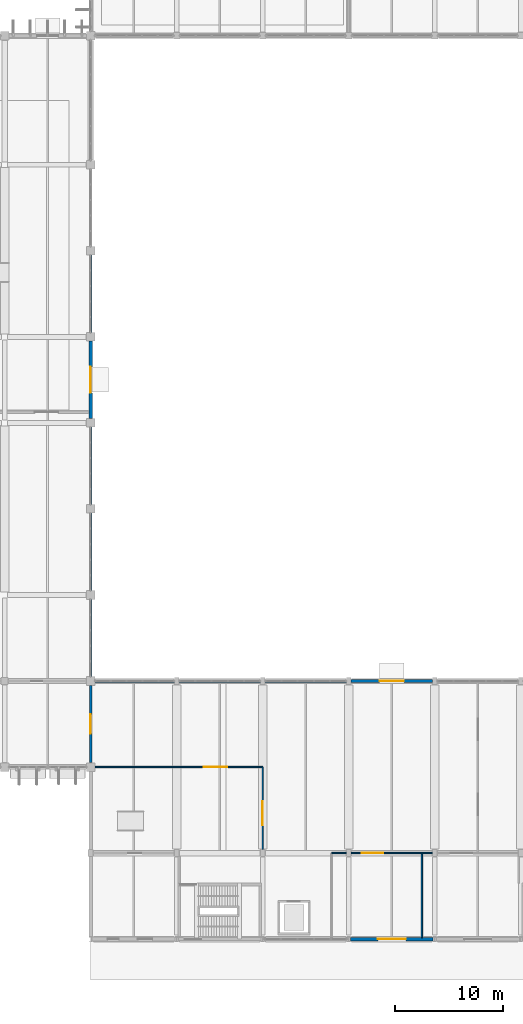
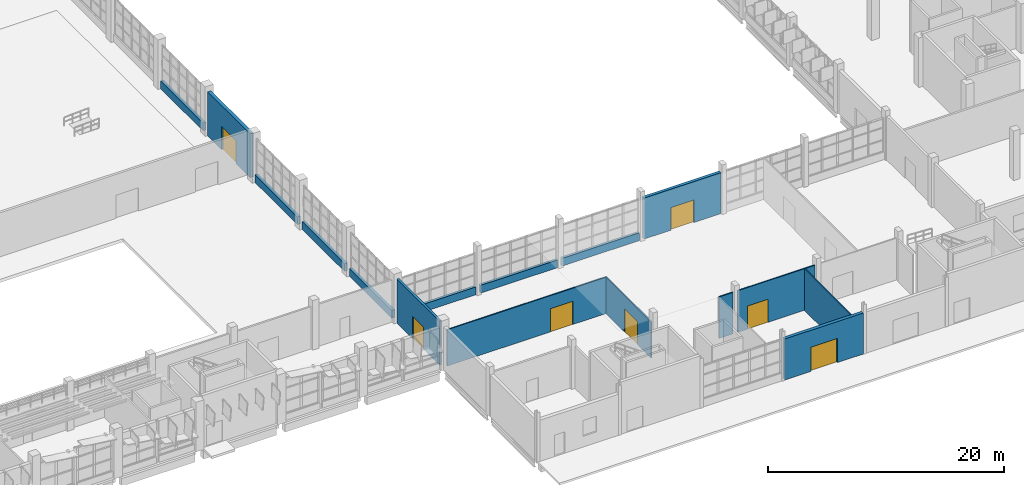
# One storey, part 75 of 103: 16 walls, 7 doors, 7 openings.
"""IFC4 building model written with IfcOpenShell, lengths in metres."""

from ifc_helpers import new_model, si_unit, direction, frame, frame_2d, origin, place, context, subcontext, project, spatial, rectangle, extrude, material, layer, layer_set, type_object, element, fill, save


model = new_model("IFC4")

# Units and contexts
model_context = context("Model", 3, precision=1e-05, world=origin(), true_north=direction((0.0, 1.0)))
body_context = subcontext(model_context, "Body", "Model", "MODEL_VIEW")
ifc_project = project(units=[si_unit("LENGTHUNIT", "METRE"), si_unit("AREAUNIT", "SQUARE_METRE"), si_unit("VOLUMEUNIT", "CUBIC_METRE"), si_unit("PLANEANGLEUNIT", "RADIAN"), si_unit("MASSUNIT", "GRAM", prefix="KILO")], contexts=[model_context])

# Site, building, storey
site_placement = place(None, origin())
site = spatial("IfcSite", under=ifc_project, at=site_placement, CompositionType="ELEMENT")
building_placement = place(site_placement, origin())
building = spatial("IfcBuilding", under=site, at=building_placement, Name="Drelvana Railside Aquatics Centre", CompositionType="ELEMENT")
storey_placement = place(building_placement, origin())
storey = spatial("IfcBuildingStorey", under=building, at=storey_placement, Name="L00", CompositionType="ELEMENT", Elevation=0.0)

# Wall, opening, door
ifc_material_1 = material(Name="Autoclaved aerated concrete masonry", Category="masonry")
ifc_layer_1 = layer(ifc_material_1, 0.22509765625, Name="Autoclaved aerated concrete masonry")
ifc_layer_set_1 = layer_set([ifc_layer_1], Name="Autoclaved aerated concrete masonry")
wall_type_1 = type_object("IfcWallType", Name="WL-COMP-225", PredefinedType="STANDARD", material=ifc_layer_set_1)
wall_1_placement = place(storey_placement, frame((96.0, 16.402099609375, 0.0), z_axis=(0.0, 0.0, 1.0), x_axis=(0.0, 1.0, 0.0)))
wall_1 = element("IfcWall", 1, at=wall_1_placement, inside=storey, type_object=wall_type_1, Name="Foyer-Pool Hall compartment wall", PredefinedType="STANDARD", context=body_context, shape_type="SweptSolid", body=[
    extrude(rectangle(XDim=7.19580078125, YDim=0.22509765625, at=frame_2d((3.597900390625, 0.0))), origin(), (0.0, 0.0, 1.0), 4.554931640625),
])
opening_1_placement = place(wall_1_placement, frame((2.697998046875, 0.0, 0.0)))
opening_1 = element("IfcOpeningElement", 2, at=opening_1_placement, cuts=wall_1, Name="Opening D-05-099", PredefinedType="OPENING", context=body_context, shape_type="SweptSolid", body=[
    extrude(rectangle(XDim=1.800048828125, YDim=2.300048828125, at=frame_2d((0.89990234375, 1.14990234375))), frame((0.0, 0.12255859375, 0.0), z_axis=(0.0, -1.0, 0.0), x_axis=(1.0, 0.0, 0.0)), (0.0, 0.0, 1.0), 0.2451171875),
])
ifc_material_2 = material(Name="Corridor compartment double door", Category="wood")
door_type_1 = type_object("IfcDoorType", Name="DR-INT-COMP-1800x2300", OperationType="DOUBLE_DOOR_SINGLE_SWING", PredefinedType="DOOR", material=ifc_material_2)
door_1_placement = place(opening_1_placement, origin())
door_1 = element("IfcDoor", 3, at=door_1_placement, inside=storey, type_object=door_type_1, Name="Foyer to Pool Hall link door D-05-099", OperationType="DOUBLE_DOOR_SINGLE_SWING", OverallHeight=2.300048828125, OverallWidth=1.800048828125, PredefinedType="DOOR", context=body_context, shape_type="SweptSolid", body=[
    extrude(rectangle(XDim=1.800048828125, YDim=2.300048828125, at=frame_2d((0.89990234375, 1.14990234375))), frame((0.0, 0.02490234375, 0.0), z_axis=(0.0, -1.0, 0.0), x_axis=(1.0, 0.0, 0.0)), (0.0, 0.0, 1.0), 0.050048828125),
])
fill(opening_1, door_1)

# Wall
ifc_material_3 = material(Name="Acoustic twin-stud gypsum partition", Category="gypsum")
ifc_layer_2 = layer(ifc_material_3, 0.1201171875, Name="Acoustic twin-stud gypsum partition")
ifc_layer_set_2 = layer_set([ifc_layer_2], Name="Acoustic twin-stud gypsum partition")
wall_type_2 = type_object("IfcWallType", Name="WL-DRY-120", PredefinedType="PARTITIONING", material=ifc_layer_set_2)
wall_2_placement = place(storey_placement, frame((118.39990234375, 8.0, 0.0), z_axis=(0.0, 0.0, 1.0), x_axis=(1.0, 0.0, 0.0)))
element("IfcWall", 4, at=wall_2_placement, inside=storey, type_object=wall_type_2, Name="Entrance Foyer south retail wall", PredefinedType="PARTITIONING", context=body_context, shape_type="SweptSolid", body=[
    extrude(rectangle(XDim=1.373046875, YDim=0.1201171875, at=frame_2d((0.6865234375, 0.0))), origin(), (0.0, 0.0, 1.0), 4.304931640625),
])

# Wall, opening, door
wall_3_placement = place(storey_placement, frame((120.22705078125, 8.0, 0.0), z_axis=(0.0, 0.0, 1.0), x_axis=(1.0, 0.0, 0.0)))
wall_3 = element("IfcWall", 5, at=wall_3_placement, inside=storey, type_object=wall_type_2, Name="Entrance Foyer south retail wall", PredefinedType="PARTITIONING", context=body_context, shape_type="SweptSolid", body=[
    extrude(rectangle(XDim=7.5458984375, YDim=0.1201171875, at=frame_2d((3.77294921875, 0.0))), origin(), (0.0, 0.0, 1.0), 4.304931640625),
])
opening_2_placement = place(wall_3_placement, frame((0.972900390625, 0.0, 0.0)))
opening_2 = element("IfcOpeningElement", 6, at=opening_2_placement, cuts=wall_3, Name="Opening D-06-137", PredefinedType="OPENING", context=body_context, shape_type="SweptSolid", body=[
    extrude(rectangle(XDim=2.0, YDim=2.39990234375, at=frame_2d((1.0, 1.199951171875))), frame((0.0, 0.070068359375, 0.0), z_axis=(0.0, -1.0, 0.0), x_axis=(1.0, 0.0, 0.0)), (0.0, 0.0, 1.0), 0.14013671875),
])
ifc_material_4 = material(Name="Glazed bronze-aluminium concourse door", Category="aluminium")
door_type_2 = type_object("IfcDoorType", Name="DR-INT-HALL-2000x2400", OperationType="DOUBLE_DOOR_SINGLE_SWING", PredefinedType="DOOR", material=ifc_material_4)
door_2_placement = place(opening_2_placement, origin())
door_2 = element("IfcDoor", 7, at=door_2_placement, inside=storey, type_object=door_type_2, Name="Ticket Hall concourse door D-06-137", OperationType="DOUBLE_DOOR_SINGLE_SWING", OverallHeight=2.39990234375, OverallWidth=2.0, PredefinedType="DOOR", context=body_context, shape_type="SweptSolid", body=[
    extrude(rectangle(XDim=2.0, YDim=2.39990234375, at=frame_2d((1.0, 1.199951171875))), frame((0.0, 0.02490234375, 0.0), z_axis=(0.0, -1.0, 0.0), x_axis=(1.0, 0.0, 0.0)), (0.0, 0.0, 1.0), 0.050048828125),
])
fill(opening_2, door_2)

# Wall
wall_4_placement = place(storey_placement, frame((126.800048828125, 0.14990234375, 0.0), z_axis=(0.0, 0.0, 1.0), x_axis=(0.0, 1.0, 0.0)))
element("IfcWall", 8, at=wall_4_placement, inside=storey, type_object=wall_type_2, Name="Foyer retail divider", PredefinedType="PARTITIONING", context=body_context, shape_type="SweptSolid", body=[
    extrude(rectangle(XDim=7.85009765625, YDim=0.1201171875, at=frame_2d((3.925048828125, 0.0))), origin(), (0.0, 0.0, 1.0), 4.304931640625),
])

# Wall, opening, door
wall_5_placement = place(storey_placement, frame((96.402099609375, 16.0, 0.0), z_axis=(0.0, 0.0, 1.0), x_axis=(1.0, 0.0, 0.0)))
wall_5 = element("IfcWall", 9, at=wall_5_placement, inside=storey, type_object=wall_type_2, Name="Railside Cafe north wall", PredefinedType="PARTITIONING", context=body_context, shape_type="SweptSolid", body=[
    extrude(rectangle(XDim=15.597900390625, YDim=0.1201171875, at=frame_2d((7.798828125, 0.0))), origin(), (0.0, 0.0, 1.0), 3.7548828125),
])
opening_3_placement = place(wall_5_placement, frame((10.097900390625, 0.0, 0.0)))
opening_3 = element("IfcOpeningElement", 10, at=opening_3_placement, cuts=wall_5, Name="Opening D-07-141", PredefinedType="OPENING", context=body_context, shape_type="SweptSolid", body=[
    extrude(rectangle(XDim=2.199951171875, YDim=2.39990234375, at=frame_2d((1.10009765625, 1.199951171875))), frame((0.0, 0.070068359375, 0.0), z_axis=(0.0, -1.0, 0.0), x_axis=(1.0, 0.0, 0.0)), (0.0, 0.0, 1.0), 0.14013671875),
])
ifc_material_5 = material(Name="Pool hall acoustic lobby double door", Category="wood")
door_type_3 = type_object("IfcDoorType", Name="DR-INT-HALL-2200x2400", OperationType="DOUBLE_DOOR_SINGLE_SWING", PredefinedType="DOOR", material=ifc_material_5)
door_3_placement = place(opening_3_placement, origin())
door_3 = element("IfcDoor", 11, at=door_3_placement, inside=storey, type_object=door_type_3, Name="Railside Cafe north concourse door D-07-141", OperationType="DOUBLE_DOOR_SINGLE_SWING", OverallHeight=2.39990234375, OverallWidth=2.199951171875, PredefinedType="DOOR", context=body_context, shape_type="SweptSolid", body=[
    extrude(rectangle(XDim=2.199951171875, YDim=2.39990234375, at=frame_2d((1.10009765625, 1.199951171875))), frame((0.0, 0.02490234375, 0.0), z_axis=(0.0, -1.0, 0.0), x_axis=(1.0, 0.0, 0.0)), (0.0, 0.0, 1.0), 0.050048828125),
])
fill(opening_3, door_3)

wall_6_placement = place(storey_placement, frame((112.0, 8.326904296875, 0.0), z_axis=(0.0, 0.0, 1.0), x_axis=(0.0, 1.0, 0.0)))
wall_6 = element("IfcWall", 12, at=wall_6_placement, inside=storey, type_object=wall_type_2, Name="Railside Cafe east wall", PredefinedType="PARTITIONING", context=body_context, shape_type="SweptSolid", body=[
    extrude(rectangle(XDim=7.673095703125, YDim=0.1201171875, at=frame_2d((3.83642578125, 0.0))), origin(), (0.0, 0.0, 1.0), 3.7548828125),
])
opening_4_placement = place(wall_6_placement, frame((2.27294921875, 0.0, 0.0)))
opening_4 = element("IfcOpeningElement", 13, at=opening_4_placement, cuts=wall_6, Name="Opening D-07-142", PredefinedType="OPENING", context=body_context, shape_type="SweptSolid", body=[
    extrude(rectangle(XDim=2.199951171875, YDim=2.39990234375, at=frame_2d((1.10009765625, 1.199951171875))), frame((0.0, 0.070068359375, 0.0), z_axis=(0.0, -1.0, 0.0), x_axis=(1.0, 0.0, 0.0)), (0.0, 0.0, 1.0), 0.14013671875),
])
door_4_placement = place(opening_4_placement, origin())
door_4 = element("IfcDoor", 14, at=door_4_placement, inside=storey, type_object=door_type_3, Name="Railside Cafe east concourse door D-07-142", OperationType="DOUBLE_DOOR_SINGLE_SWING", OverallHeight=2.39990234375, OverallWidth=2.199951171875, PredefinedType="DOOR", context=body_context, shape_type="SweptSolid", body=[
    extrude(rectangle(XDim=2.199951171875, YDim=2.39990234375, at=frame_2d((1.10009765625, 1.199951171875))), frame((0.0, 0.02490234375, 0.0), z_axis=(0.0, -1.0, 0.0), x_axis=(1.0, 0.0, 0.0)), (0.0, 0.0, 1.0), 0.050048828125),
])
fill(opening_4, door_4)

# Walls
ifc_material_6 = material(Name="Glazed ceramic spandrel wall", Category="masonry")
ifc_layer_3 = layer(ifc_material_6, 0.27001953125, Name="Glazed ceramic spandrel wall")
ifc_layer_set_3 = layer_set([ifc_layer_3], Name="Glazed ceramic spandrel wall")
wall_type_3 = type_object("IfcWallType", Name="WL-EXT-270", PredefinedType="STANDARD", material=ifc_layer_set_3)
wall_7_placement = place(storey_placement, frame((96.39599609375, 24.0, 0.0), z_axis=(0.0, 0.0, 1.0), x_axis=(1.0, 0.0, 0.0)))
element("IfcWall", 15, at=wall_7_placement, inside=storey, type_object=wall_type_3, Name="Foyer court plinth", PredefinedType="STANDARD", context=body_context, shape_type="SweptSolid", body=[
    extrude(rectangle(XDim=7.383056640625, YDim=0.27001953125, at=frame_2d((3.69140625, 0.0))), origin(), (0.0, 0.0, 1.0), 0.800048828125),
])
for number, where, z_axis, x_axis, name in (
    (16, (104.220947265625, 24.0, 0.0), (0.0, 0.0, 1.0), (1.0, 0.0, 0.0), "Foyer court plinth"),
    (17, (112.220947265625, 24.0, 0.0), (0.0, 0.0, 1.0), (1.0, 0.0, 0.0), "Foyer court plinth"),
):
    element("IfcWall", number, at=place(storey_placement, frame(where, z_axis=z_axis, x_axis=x_axis)), inside=storey, type_object=wall_type_3, Name=name, PredefinedType="STANDARD", context=body_context, shape_type="SweptSolid", body=[
        extrude(rectangle(XDim=7.55810546875, YDim=0.27001953125, at=frame_2d((3.779052734375, 0.0))), origin(), (0.0, 0.0, 1.0), 0.800048828125),
    ])
ifc_material_7 = material(Name="Glazed ceramic and masonry facade wall", Category="masonry")
ifc_layer_4 = layer(ifc_material_7, 0.2900390625, Name="Glazed ceramic and masonry facade wall")
ifc_layer_set_4 = layer_set([ifc_layer_4], Name="Glazed ceramic and masonry facade wall")
wall_type_4 = type_object("IfcWallType", Name="WL-EXT-290", PredefinedType="STANDARD", material=ifc_layer_set_4)
for number, where, z_axis, x_axis, name in (
    (18, (96.0, 24.39599609375, 0.0), (0.0, 0.0, 1.0), (0.0, 1.0, 0.0), "V1 East court plinth"),
    (19, (96.0, 32.39599609375, 0.0), (0.0, 0.0, 1.0), (0.0, 1.0, 0.0), "V1 East court plinth"),
    (20, (96.0, 40.39599609375, 0.0), (0.0, 0.0, 1.0), (0.0, 1.0, 0.0), "V1 East court plinth"),
    (21, (96.0, 56.39599609375, 0.0), (0.0, 0.0, 1.0), (0.0, 1.0, 0.0), "V1 East court plinth"),
):
    element("IfcWall", number, at=place(storey_placement, frame(where, z_axis=z_axis, x_axis=x_axis)), inside=storey, type_object=wall_type_4, Name=name, PredefinedType="STANDARD", context=body_context, shape_type="SweptSolid", body=[
        extrude(rectangle(XDim=7.2080078125, YDim=0.2900390625, at=frame_2d((3.60400390625, 0.0))), origin(), (0.0, 0.0, 1.0), 0.800048828125),
    ])

# Wall, opening, door
wall_8_placement = place(storey_placement, frame((120.220947265625, 24.0, 0.0), z_axis=(0.0, 0.0, 1.0), x_axis=(1.0, 0.0, 0.0)))
wall_8 = element("IfcWall", 22, at=wall_8_placement, inside=storey, type_object=wall_type_4, Name="Rain court foyer portal wall", PredefinedType="STANDARD", context=body_context, shape_type="SweptSolid", body=[
    extrude(rectangle(XDim=7.55810546875, YDim=0.2900390625, at=frame_2d((3.779052734375, 0.0))), origin(), (0.0, 0.0, 1.0), 4.25),
])
opening_5_placement = place(wall_8_placement, frame((2.654052734375, 0.0, 0.0)))
opening_5 = element("IfcOpeningElement", 23, at=opening_5_placement, cuts=wall_8, Name="Opening EX-10-011", PredefinedType="OPENING", context=body_context, shape_type="SweptSolid", body=[
    extrude(rectangle(XDim=2.25, YDim=2.35009765625, at=frame_2d((1.125, 1.175048828125))), frame((0.0, 0.155029296875, 0.0), z_axis=(0.0, -1.0, 0.0), x_axis=(1.0, 0.0, 0.0)), (0.0, 0.0, 1.0), 0.31005859375),
])
ifc_material_8 = material(Name="Thermally broken bronze-anodised aluminium and glazed door", Category="aluminium")
door_type_4 = type_object("IfcDoorType", Name="DR-EXT-FOY-2250x2350", OperationType="DOUBLE_DOOR_SINGLE_SWING", PredefinedType="DOOR", material=ifc_material_8)
door_5_placement = place(opening_5_placement, origin())
door_5 = element("IfcDoor", 24, at=door_5_placement, inside=storey, type_object=door_type_4, Name="Rain court concourse exit door EX-10-011", OperationType="DOUBLE_DOOR_SINGLE_SWING", OverallHeight=2.35009765625, OverallWidth=2.25, PredefinedType="DOOR", context=body_context, shape_type="SweptSolid", body=[
    extrude(rectangle(XDim=2.25, YDim=2.35009765625, at=frame_2d((1.125, 1.175048828125))), frame((0.0, 0.02490234375, 0.0), z_axis=(0.0, -1.0, 0.0), x_axis=(1.0, 0.0, 0.0)), (0.0, 0.0, 1.0), 0.050048828125),
])
fill(opening_5, door_5)

ifc_material_9 = material(Name="Terracotta rainscreen masonry wall", Category="masonry")
ifc_layer_5 = layer(ifc_material_9, 0.31005859375, Name="Terracotta rainscreen masonry wall")
ifc_layer_set_5 = layer_set([ifc_layer_5], Name="Terracotta rainscreen masonry wall")
wall_type_5 = type_object("IfcWallType", Name="WL-EXT-310", PredefinedType="STANDARD", material=ifc_layer_set_5)
wall_9_placement = place(storey_placement, frame((120.14599609375, 0.0, 0.0), z_axis=(0.0, 0.0, 1.0), x_axis=(1.0, 0.0, 0.0)))
wall_9 = element("IfcWall", 25, at=wall_9_placement, inside=storey, type_object=wall_type_5, Name="Main entrance portal wall 120", PredefinedType="STANDARD", context=body_context, shape_type="SweptSolid", body=[
    extrude(rectangle(XDim=7.7080078125, YDim=0.31005859375, at=frame_2d((3.85400390625, 0.0))), origin(), (0.0, 0.0, 1.0), 4.25),
])
opening_6_placement = place(wall_9_placement, frame((2.553955078125, 0.0, 0.0)))
opening_6 = element("IfcOpeningElement", 26, at=opening_6_placement, cuts=wall_9, Name="Opening EX-01-010", PredefinedType="OPENING", context=body_context, shape_type="SweptSolid", body=[
    extrude(rectangle(XDim=2.60009765625, YDim=2.5, at=frame_2d((1.300048828125, 1.25))), frame((0.0, 0.1650390625, 0.0), z_axis=(0.0, -1.0, 0.0), x_axis=(1.0, 0.0, 0.0)), (0.0, 0.0, 1.0), 0.330078125),
])
door_type_5 = type_object("IfcDoorType", Name="DR-EXT-MAIN-2600x2500", OperationType="DOUBLE_DOOR_SINGLE_SWING", PredefinedType="DOOR", material=ifc_material_8)
door_6_placement = place(opening_6_placement, frame((2.60009765625, 0.0, 0.0), z_axis=(0.0, 0.0, 1.0), x_axis=(-1.0, 0.0, 0.0)))
door_6 = element("IfcDoor", 27, at=door_6_placement, inside=storey, type_object=door_type_5, Name="Main public entrance door EX-01-010", OperationType="DOUBLE_DOOR_SINGLE_SWING", OverallHeight=2.5, OverallWidth=2.60009765625, PredefinedType="DOOR", context=body_context, shape_type="SweptSolid", body=[
    extrude(rectangle(XDim=2.60009765625, YDim=2.5, at=frame_2d((1.300048828125, 1.25))), frame((0.0, 0.02490234375, 0.0), z_axis=(0.0, -1.0, 0.0), x_axis=(1.0, 0.0, 0.0)), (0.0, 0.0, 1.0), 0.050048828125),
])
fill(opening_6, door_6)

ifc_material_10 = material(Name="Abuja granite ashlar cavity wall", Category="masonry")
ifc_layer_6 = layer(ifc_material_10, 0.330078125, Name="Abuja granite ashlar cavity wall")
ifc_layer_set_6 = layer_set([ifc_layer_6], Name="Abuja granite ashlar cavity wall")
wall_type_6 = type_object("IfcWallType", Name="WL-EXT-330", PredefinedType="STANDARD", material=ifc_layer_set_6)
wall_10_placement = place(storey_placement, frame((96.0, 48.39599609375, 0.0), z_axis=(0.0, 0.0, 1.0), x_axis=(0.0, 1.0, 0.0)))
wall_10 = element("IfcWall", 28, at=wall_10_placement, inside=storey, type_object=wall_type_6, Name="V1 East rain-court portal wall", PredefinedType="STANDARD", context=body_context, shape_type="SweptSolid", body=[
    extrude(rectangle(XDim=7.2080078125, YDim=0.330078125, at=frame_2d((3.60400390625, 0.0))), origin(), (0.0, 0.0, 1.0), 4.554931640625),
])
opening_7_placement = place(wall_10_placement, frame((2.404052734375, 0.0, 0.0)))
opening_7 = element("IfcOpeningElement", 29, at=opening_7_placement, cuts=wall_10, Name="Opening EX-02-007", PredefinedType="OPENING", context=body_context, shape_type="SweptSolid", body=[
    extrude(rectangle(XDim=2.39990234375, YDim=2.39990234375, at=frame_2d((1.199951171875, 1.199951171875))), frame((0.0, 0.175048828125, 0.0), z_axis=(0.0, -1.0, 0.0), x_axis=(1.0, 0.0, 0.0)), (0.0, 0.0, 1.0), 0.35009765625),
])
door_type_6 = type_object("IfcDoorType", Name="DR-EXT-FOY-2400x2400", OperationType="DOUBLE_DOOR_SINGLE_SWING", PredefinedType="DOOR", material=ifc_material_8)
door_7_placement = place(opening_7_placement, frame((2.39990234375, 0.0, 0.0), z_axis=(0.0, 0.0, 1.0), x_axis=(-1.0, 0.0, 0.0)))
door_7 = element("IfcDoor", 30, at=door_7_placement, inside=storey, type_object=door_type_6, Name="Rain court glazed portal door EX-02-007", OperationType="DOUBLE_DOOR_SINGLE_SWING", OverallHeight=2.39990234375, OverallWidth=2.39990234375, PredefinedType="DOOR", context=body_context, shape_type="SweptSolid", body=[
    extrude(rectangle(XDim=2.39990234375, YDim=2.39990234375, at=frame_2d((1.199951171875, 1.199951171875))), frame((0.0, 0.02490234375, 0.0), z_axis=(0.0, -1.0, 0.0), x_axis=(1.0, 0.0, 0.0)), (0.0, 0.0, 1.0), 0.050048828125),
])
fill(opening_7, door_7)

save(model, "model.ifc")
